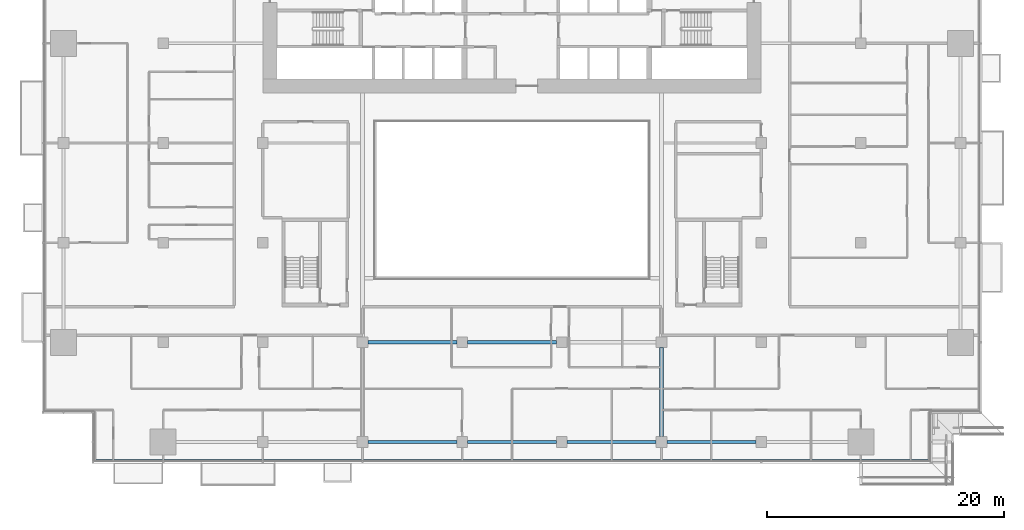
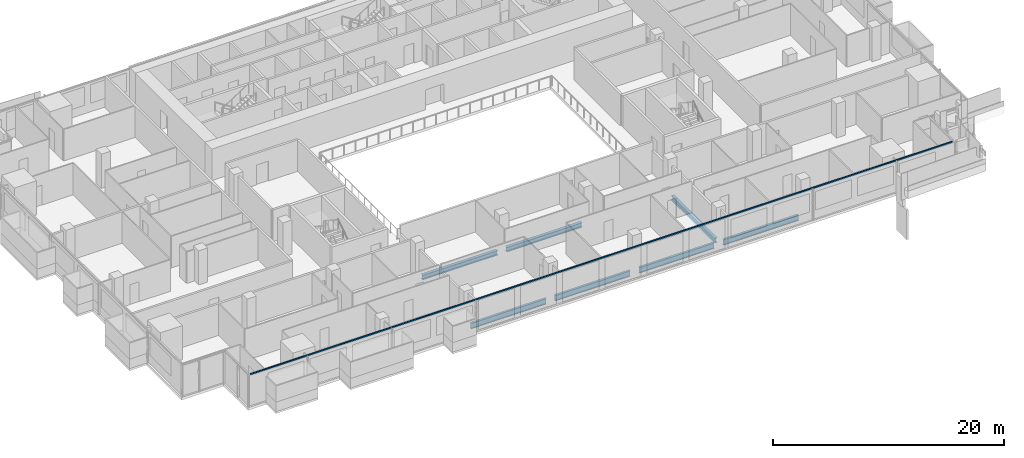
# One storey, part 5 of 29: 7 beams, 1 member, 1 element without a shape of its own.
"""IFC4 building model written with IfcOpenShell, lengths in metres."""

from ifc_helpers import new_model, si_unit, direction, frame, origin, origin_2d, place, context, subcontext, project, spatial, rectangle, i_section, extrude, material, material_profile, profile_set, type_object, element, aggregate, save


model = new_model("IFC4")

# Units and contexts
model_context = context("Model", 3, precision=1e-05, world=origin(), true_north=direction((0.0, 1.0)))
body_context = subcontext(model_context, "Body", "Model", "MODEL_VIEW")
ifc_project = project(units=[si_unit("LENGTHUNIT", "METRE"), si_unit("AREAUNIT", "SQUARE_METRE"), si_unit("VOLUMEUNIT", "CUBIC_METRE"), si_unit("PLANEANGLEUNIT", "RADIAN"), si_unit("MASSUNIT", "GRAM", prefix="KILO")], contexts=[model_context])

# Site, building, storey
site_placement = place(None, origin())
site = spatial("IfcSite", under=ifc_project, at=site_placement, CompositionType="ELEMENT")
building_placement = place(site_placement, origin())
building = spatial("IfcBuilding", under=site, at=building_placement, Name="Saffron Gate Tower", CompositionType="ELEMENT")
storey_placement = place(building_placement, frame((0.0, 0.0, 48.0)))
storey = spatial("IfcBuildingStorey", under=building, at=storey_placement, Name="L10", CompositionType="ELEMENT", Elevation=48.0)

# Beams
ifc_material_1 = material(Name="Structural steel S355", Category="steel")
ifc_material_profile_1 = material_profile(ifc_material_1, i_section(OverallWidth=0.219970703125, OverallDepth=0.60009765625, WebThickness=0.011962890625, FlangeThickness=0.01904296875, FilletRadius=0.02392578125, at=origin_2d()))
ifc_profile_set_1 = profile_set([ifc_material_profile_1], Name="Structural steel S355")
beam_type_1 = type_object("IfcBeamType", Name="B16 IPE 600", PredefinedType="SPANDREL", material=ifc_profile_set_1)
for number, where, z_axis, x_axis, name in (
    (1, (75.449951171875, 31.800048828125, -0.580078125), (1.0, 0.0, 0.0), (0.0, 1.0, 0.0), "B16 SPANDREL BEAM"),
    (2, (83.85009765625, 31.800048828125, -0.580078125), (1.0, 0.0, 0.0), (0.0, 1.0, 0.0), "B16 SPANDREL BEAM"),
    (3, (92.25, 31.800048828125, -0.580078125), (1.0, 0.0, 0.0), (0.0, 1.0, 0.0), "B16 SPANDREL BEAM"),
    (4, (100.64990234375, 31.800048828125, -0.580078125), (1.0, 0.0, 0.0), (0.0, 1.0, 0.0), "B16 SPANDREL BEAM"),
):
    element("IfcBeam", number, at=place(storey_placement, frame(where, z_axis=z_axis, x_axis=x_axis)), inside=storey, type_object=beam_type_1, Name=name, PredefinedType="SPANDREL", context=body_context, shape_type="SweptSolid", body=[
        extrude(i_section(OverallWidth=0.219970703125, OverallDepth=0.60009765625, WebThickness=0.011962890625, FlangeThickness=0.01904296875, FilletRadius=0.02392578125, at=origin_2d()), origin(), (0.0, 0.0, 1.0), 7.5),
    ])
ifc_material_profile_2 = material_profile(ifc_material_1, i_section(OverallWidth=0.300048828125, OverallDepth=0.489990234375, WebThickness=0.011962890625, FlangeThickness=0.02294921875, FilletRadius=0.027099609375, at=origin_2d()))
ifc_profile_set_2 = profile_set([ifc_material_profile_2], Name="Structural steel S355")
beam_type_2 = type_object("IfcBeamType", Name="B8 HEA 500", PredefinedType="BEAM", material=ifc_profile_set_2)
for number, where, z_axis, x_axis, name in (
    (5, (100.199951171875, 32.25, -0.52490234375), (0.0, 1.0, 0.0), (-1.0, 0.0, 0.0), "B8 FLOOR GIRDER"),
    (6, (75.449951171875, 40.199951171875, -0.52490234375), (1.0, 0.0, 0.0), (0.0, 1.0, 0.0), "B8 FLOOR GIRDER"),
    (7, (83.85009765625, 40.199951171875, -0.52490234375), (1.0, 0.0, 0.0), (0.0, 1.0, 0.0), "B8 FLOOR GIRDER"),
):
    element("IfcBeam", number, at=place(storey_placement, frame(where, z_axis=z_axis, x_axis=x_axis)), inside=storey, type_object=beam_type_2, Name=name, PredefinedType="BEAM", context=body_context, shape_type="SweptSolid", body=[
        extrude(i_section(OverallWidth=0.300048828125, OverallDepth=0.489990234375, WebThickness=0.011962890625, FlangeThickness=0.02294921875, FilletRadius=0.027099609375, at=origin_2d()), origin(), (0.0, 0.0, 1.0), 7.5),
    ])

# Curtain wall, member
ifc_material_2 = material(Name="Aluminium, bronze anodised", Category="aluminium")
curtain_wall_type = type_object("IfcCurtainWallType", Name="CWS1 curtain wall front facade", PredefinedType="NOTDEFINED", material=ifc_material_2)
curtain_wall_placement = place(storey_placement, origin())
curtain_wall = element("IfcCurtainWall", 8, at=curtain_wall_placement, inside=storey, type_object=curtain_wall_type, Name="CWS1 run 1", PredefinedType="NOTDEFINED")
ifc_material_profile_3 = material_profile(ifc_material_2, rectangle(XDim=0.1201171875, YDim=0.1201171875, at=origin_2d()))
ifc_profile_set_3 = profile_set([ifc_material_profile_3], Name="Aluminium, bronze anodised")
member_type = type_object("IfcMemberType", Name="CWS1 head transom", PredefinedType="USERDEFINED", material=ifc_profile_set_3)
member_placement = place(storey_placement, frame((52.568115234375, 30.248046875, 3.260009765625), z_axis=(1.0, 0.0, 0.0), x_axis=(0.0, 1.0, 0.0)))
member = element("IfcMember", 9, at=member_placement, type_object=member_type, Name="CWS1 head transom", ObjectType="TRANSOM", PredefinedType="USERDEFINED", context=body_context, shape_type="SweptSolid", body=[
    extrude(rectangle(XDim=0.1201171875, YDim=0.1201171875, at=origin_2d()), origin(), (0.0, 0.0, 1.0), 70.06396484375),
])
aggregate(curtain_wall, [member])

save(model, "model.ifc")
